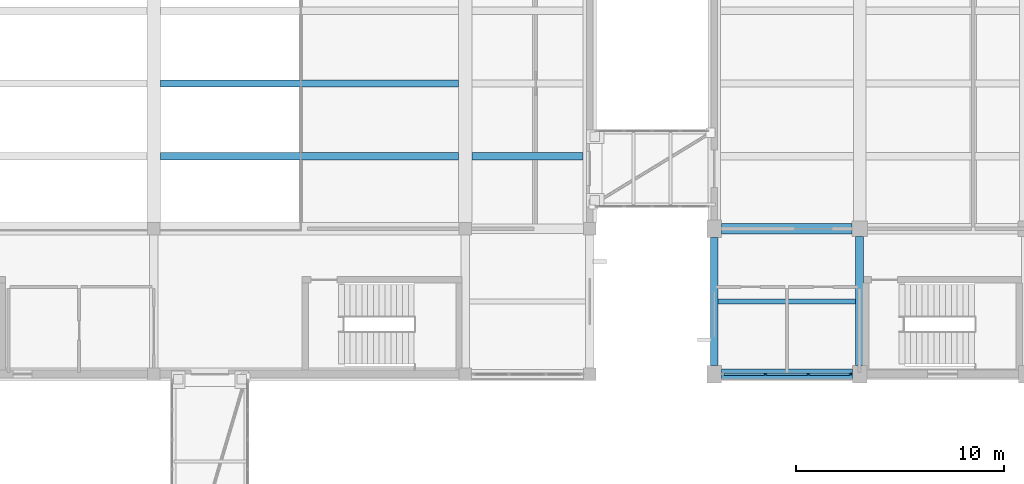
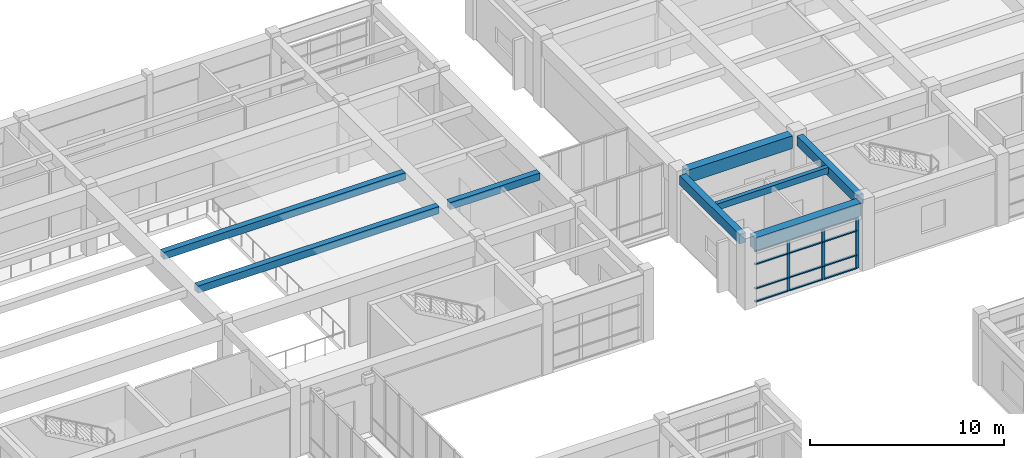
# One storey, part 15 of 72: 15 members, 8 beams, 1 element without a shape of its own.
"""IFC4 building model written with IfcOpenShell, lengths in metres."""

from ifc_helpers import new_model, si_unit, direction, frame, origin, origin_2d, place, context, subcontext, project, spatial, rectangle, extrude, material, layer, layer_set, material_profile, profile_set, type_object, element, aggregate, save


model = new_model("IFC4")

# Units and contexts
model_context = context("Model", 3, precision=1e-05, world=origin(), true_north=direction((0.0, 1.0)))
body_context = subcontext(model_context, "Body", "Model", "MODEL_VIEW")
ifc_project = project(units=[si_unit("LENGTHUNIT", "METRE"), si_unit("AREAUNIT", "SQUARE_METRE"), si_unit("VOLUMEUNIT", "CUBIC_METRE"), si_unit("PLANEANGLEUNIT", "RADIAN"), si_unit("MASSUNIT", "GRAM", prefix="KILO")], contexts=[model_context])

# Site, building, storey
site_placement = place(None, origin())
site = spatial("IfcSite", under=ifc_project, at=site_placement, CompositionType="ELEMENT")
building_placement = place(site_placement, origin())
building = spatial("IfcBuilding", under=site, at=building_placement, Name="Naurynzar Civic Courthouse", CompositionType="ELEMENT")
storey_placement = place(building_placement, frame((0.0, 0.0, 9.89990234375)))
storey = spatial("IfcBuildingStorey", under=building, at=storey_placement, Name="L03", CompositionType="ELEMENT", Elevation=9.89990234375)

# Beams
ifc_material_1 = material(Name="Concrete C40/50", Category="concrete")
ifc_material_profile_1 = material_profile(ifc_material_1, rectangle(XDim=0.25, YDim=0.39990234375, at=origin_2d()), Name="RCB 250x400")
ifc_profile_set_1 = profile_set([ifc_material_profile_1], Name="Concrete C40/50")
beam_type_1 = type_object("IfcBeamType", Name="BM-JST-250x400", PredefinedType="JOIST", material=ifc_profile_set_1)
beam_1_placement = place(storey_placement, frame((62.1875, 47.5, 4.0), z_axis=(1.0, 0.0, 0.0), x_axis=(0.0, 1.0, 0.0)))
element("IfcBeam", 1, at=beam_1_placement, inside=storey, type_object=beam_type_1, Name="V2 secondary rib 620 L03", PredefinedType="JOIST", context=body_context, shape_type="SweptSolid", body=[
    extrude(rectangle(XDim=0.25, YDim=0.39990234375, at=origin_2d()), origin(), (0.0, 0.0, 1.0), 6.625),
])
ifc_material_2 = material(Name="Concrete C40/50", Category="concrete")
ifc_material_profile_2 = material_profile(ifc_material_2, rectangle(XDim=0.35009765625, YDim=0.449951171875, at=origin_2d()), Name="RCB 350x450")
ifc_profile_set_2 = profile_set([ifc_material_profile_2], Name="Concrete C40/50")
beam_type_2 = type_object("IfcBeamType", Name="BM-RC-350x450", PredefinedType="BEAM", material=ifc_profile_set_2)
for number, where, z_axis, x_axis, name in (
    (2, (35.324951171875, 54.5, 4.005126953125), (1.0, 0.0, 0.0), (0.0, 1.0, 0.0), "V1 secondary rib 213 L03"),
    (3, (35.324951171875, 58.0, 4.005126953125), (1.0, 0.0, 0.0), (0.0, 1.0, 0.0), "V1 secondary rib 214 L03"),
):
    element("IfcBeam", number, at=place(storey_placement, frame(where, z_axis=z_axis, x_axis=x_axis)), inside=storey, type_object=beam_type_2, Name=name, PredefinedType="BEAM", context=body_context, shape_type="SweptSolid", body=[
        extrude(rectangle(XDim=0.35009765625, YDim=0.449951171875, at=origin_2d()), origin(), (0.0, 0.0, 1.0), 14.35009765625),
    ])
beam_2_placement = place(storey_placement, frame((50.324951171875, 54.5, 4.005126953125), z_axis=(1.0, 0.0, 0.0), x_axis=(0.0, 1.0, 0.0)))
element("IfcBeam", 4, at=beam_2_placement, inside=storey, type_object=beam_type_2, Name="V1 secondary rib 216 L03", PredefinedType="BEAM", context=body_context, shape_type="SweptSolid", body=[
    extrude(rectangle(XDim=0.35009765625, YDim=0.449951171875, at=origin_2d()), origin(), (0.0, 0.0, 1.0), 5.35009765625),
])
ifc_material_3 = material(Name="Concrete C40/50", Category="concrete")
ifc_material_profile_3 = material_profile(ifc_material_3, rectangle(XDim=0.375, YDim=0.60009765625, at=origin_2d()), Name="RCB 375x600")
ifc_profile_set_3 = profile_set([ifc_material_profile_3], Name="Concrete C40/50")
beam_type_3 = type_object("IfcBeamType", Name="BM-RC-375x600", PredefinedType="BEAM", material=ifc_profile_set_3)
beam_3_placement = place(storey_placement, frame((62.0, 44.425048828125, 3.900146484375), z_axis=(0.0, 1.0, 0.0), x_axis=(-1.0, 0.0, 0.0)))
element("IfcBeam", 5, at=beam_3_placement, inside=storey, type_object=beam_type_3, Name="V2 girder Y-593 L03", PredefinedType="BEAM", context=body_context, shape_type="SweptSolid", body=[
    extrude(rectangle(XDim=0.375, YDim=0.60009765625, at=origin_2d()), origin(), (0.0, 0.0, 1.0), 6.14990234375),
])
beam_4_placement = place(storey_placement, frame((69.0, 44.425048828125, 3.900146484375), z_axis=(0.0, 1.0, 0.0), x_axis=(-1.0, 0.0, 0.0)))
element("IfcBeam", 6, at=beam_4_placement, inside=storey, type_object=beam_type_3, Name="V2 girder Y-596 L03", PredefinedType="BEAM", context=body_context, shape_type="SweptSolid", body=[
    extrude(rectangle(XDim=0.375, YDim=0.60009765625, at=origin_2d()), origin(), (0.0, 0.0, 1.0), 6.199951171875),
])
ifc_material_4 = material(Name="Concrete C40/50", Category="concrete")
ifc_material_profile_4 = material_profile(ifc_material_4, rectangle(XDim=0.5, YDim=0.800048828125, at=origin_2d()), Name="RCB 500x800")
ifc_profile_set_4 = profile_set([ifc_material_profile_4], Name="Concrete C40/50")
beam_type_4 = type_object("IfcBeamType", Name="BM-RC-500x800", PredefinedType="BEAM", material=ifc_profile_set_4)
beam_5_placement = place(storey_placement, frame((62.35009765625, 44.0, 3.800048828125), z_axis=(1.0, 0.0, 0.0), x_axis=(0.0, 1.0, 0.0)))
element("IfcBeam", 7, at=beam_5_placement, inside=storey, type_object=beam_type_4, Name="V2 beam X-561 L03", PredefinedType="BEAM", context=body_context, shape_type="SweptSolid", body=[
    extrude(rectangle(XDim=0.5, YDim=0.800048828125, at=origin_2d()), origin(), (0.0, 0.0, 1.0), 6.2998046875),
])
beam_6_placement = place(storey_placement, frame((62.35009765625, 51.0, 3.800048828125), z_axis=(1.0, 0.0, 0.0), x_axis=(0.0, 1.0, 0.0)))
element("IfcBeam", 8, at=beam_6_placement, inside=storey, type_object=beam_type_4, Name="V2 beam X-569 L03", PredefinedType="BEAM", context=body_context, shape_type="SweptSolid", body=[
    extrude(rectangle(XDim=0.5, YDim=0.800048828125, at=origin_2d()), origin(), (0.0, 0.0, 1.0), 6.27490234375),
])

# Curtain wall, members
ifc_material_5 = material(Name="Aluminium 6063-T6", Category="aluminium")
ifc_layer = layer(ifc_material_5, 0.159912109375)
ifc_layer_set = layer_set([ifc_layer], Name="CW-UNIT-1800")
curtain_wall_type = type_object("IfcCurtainWallType", Name="CW-UNIT-1800", PredefinedType="NOTDEFINED", material=ifc_layer_set)
curtain_wall_placement = place(storey_placement, origin())
curtain_wall = element("IfcCurtainWall", 9, at=curtain_wall_placement, inside=storey, type_object=curtain_wall_type, Name="V2 unitised curtain wall 30 L03", PredefinedType="NOTDEFINED")
ifc_material_6 = material(Name="Aluminium 6063-T6", Category="aluminium")
ifc_material_profile_5 = material_profile(ifc_material_6, rectangle(XDim=0.070068359375, YDim=0.179931640625, at=origin_2d()), Name="ALU MULLION 70x180")
ifc_profile_set_5 = profile_set([ifc_material_profile_5], Name="Aluminium 6063-T6")
member_type_1 = type_object("IfcMemberType", Name="CWM-70x180", PredefinedType="MULLION", material=ifc_profile_set_5)
member_1_placement = place(storey_placement, frame((68.56494140625, 44.0, 0.0), z_axis=(0.0, 0.0, 1.0), x_axis=(0.0, -1.0, 0.0)))
member_1 = element("IfcMember", 10, at=member_1_placement, type_object=member_type_1, Name="CW-02 mullion 1", PredefinedType="MULLION", context=body_context, shape_type="SweptSolid", body=[
    extrude(rectangle(XDim=0.070068359375, YDim=0.179931640625, at=origin_2d()), origin(), (0.0, 0.0, 1.0), 3.22998046875),
])
member_2_placement = place(storey_placement, frame((66.533447265625, 44.0, 0.0), z_axis=(0.0, 0.0, 1.0), x_axis=(0.0, -1.0, 0.0)))
member_2 = element("IfcMember", 11, at=member_2_placement, type_object=member_type_1, Name="CW-02 mullion 2", PredefinedType="MULLION", context=body_context, shape_type="SweptSolid", body=[
    extrude(rectangle(XDim=0.070068359375, YDim=0.179931640625, at=origin_2d()), origin(), (0.0, 0.0, 1.0), 3.22998046875),
])
member_3_placement = place(storey_placement, frame((64.466552734375, 44.0, 0.0), z_axis=(0.0, 0.0, 1.0), x_axis=(0.0, -1.0, 0.0)))
member_3 = element("IfcMember", 12, at=member_3_placement, type_object=member_type_1, Name="CW-02 mullion 3", PredefinedType="MULLION", context=body_context, shape_type="SweptSolid", body=[
    extrude(rectangle(XDim=0.070068359375, YDim=0.179931640625, at=origin_2d()), origin(), (0.0, 0.0, 1.0), 3.22998046875),
])
ifc_material_7 = material(Name="Aluminium 6063-T6", Category="aluminium")
ifc_material_profile_6 = material_profile(ifc_material_7, rectangle(XDim=0.1298828125, YDim=0.070068359375, at=origin_2d()), Name="ALU TRANSOM 70x130")
ifc_profile_set_6 = profile_set([ifc_material_profile_6], Name="Aluminium 6063-T6")
member_type_2 = type_object("IfcMemberType", Name="CWT-70x130", PredefinedType="USERDEFINED", material=ifc_profile_set_6)
member_4_placement = place(storey_placement, frame((68.530029296875, 44.0, 0.03515625), z_axis=(-1.0, 0.0, 0.0), x_axis=(0.0, -1.0, 0.0)))
member_4 = element("IfcMember", 13, at=member_4_placement, type_object=member_type_2, Name="CW-02 transom 1.1", ObjectType="TRANSOM", PredefinedType="USERDEFINED", context=body_context, shape_type="SweptSolid", body=[
    extrude(rectangle(XDim=0.1298828125, YDim=0.070068359375, at=origin_2d()), origin(), (0.0, 0.0, 1.0), 1.961669921875),
])
member_5_placement = place(storey_placement, frame((68.530029296875, 44.0, 0.85009765625), z_axis=(-1.0, 0.0, 0.0), x_axis=(0.0, -1.0, 0.0)))
member_5 = element("IfcMember", 14, at=member_5_placement, type_object=member_type_2, Name="CW-02 transom 1.2", ObjectType="TRANSOM", PredefinedType="USERDEFINED", context=body_context, shape_type="SweptSolid", body=[
    extrude(rectangle(XDim=0.1298828125, YDim=0.070068359375, at=origin_2d()), origin(), (0.0, 0.0, 1.0), 1.961669921875),
])
member_6_placement = place(storey_placement, frame((68.530029296875, 44.0, 2.380126953125), z_axis=(-1.0, 0.0, 0.0), x_axis=(0.0, -1.0, 0.0)))
member_6 = element("IfcMember", 15, at=member_6_placement, type_object=member_type_2, Name="CW-02 transom 1.3", ObjectType="TRANSOM", PredefinedType="USERDEFINED", context=body_context, shape_type="SweptSolid", body=[
    extrude(rectangle(XDim=0.1298828125, YDim=0.070068359375, at=origin_2d()), origin(), (0.0, 0.0, 1.0), 1.961669921875),
])
member_7_placement = place(storey_placement, frame((68.530029296875, 44.0, 3.195068359375), z_axis=(-1.0, 0.0, 0.0), x_axis=(0.0, -1.0, 0.0)))
member_7 = element("IfcMember", 16, at=member_7_placement, type_object=member_type_2, Name="CW-02 transom 1.4", ObjectType="TRANSOM", PredefinedType="USERDEFINED", context=body_context, shape_type="SweptSolid", body=[
    extrude(rectangle(XDim=0.1298828125, YDim=0.070068359375, at=origin_2d()), origin(), (0.0, 0.0, 1.0), 1.961669921875),
])
member_8_placement = place(storey_placement, frame((66.498291015625, 44.0, 0.03515625), z_axis=(-1.0, 0.0, 0.0), x_axis=(0.0, -1.0, 0.0)))
member_8 = element("IfcMember", 17, at=member_8_placement, type_object=member_type_2, Name="CW-02 transom 2.1", ObjectType="TRANSOM", PredefinedType="USERDEFINED", context=body_context, shape_type="SweptSolid", body=[
    extrude(rectangle(XDim=0.1298828125, YDim=0.070068359375, at=origin_2d()), origin(), (0.0, 0.0, 1.0), 1.99658203125),
])
member_9_placement = place(storey_placement, frame((66.498291015625, 44.0, 0.85009765625), z_axis=(-1.0, 0.0, 0.0), x_axis=(0.0, -1.0, 0.0)))
member_9 = element("IfcMember", 18, at=member_9_placement, type_object=member_type_2, Name="CW-02 transom 2.2", ObjectType="TRANSOM", PredefinedType="USERDEFINED", context=body_context, shape_type="SweptSolid", body=[
    extrude(rectangle(XDim=0.1298828125, YDim=0.070068359375, at=origin_2d()), origin(), (0.0, 0.0, 1.0), 1.99658203125),
])
member_10_placement = place(storey_placement, frame((66.498291015625, 44.0, 2.380126953125), z_axis=(-1.0, 0.0, 0.0), x_axis=(0.0, -1.0, 0.0)))
member_10 = element("IfcMember", 19, at=member_10_placement, type_object=member_type_2, Name="CW-02 transom 2.3", ObjectType="TRANSOM", PredefinedType="USERDEFINED", context=body_context, shape_type="SweptSolid", body=[
    extrude(rectangle(XDim=0.1298828125, YDim=0.070068359375, at=origin_2d()), origin(), (0.0, 0.0, 1.0), 1.99658203125),
])
member_11_placement = place(storey_placement, frame((66.498291015625, 44.0, 3.195068359375), z_axis=(-1.0, 0.0, 0.0), x_axis=(0.0, -1.0, 0.0)))
member_11 = element("IfcMember", 20, at=member_11_placement, type_object=member_type_2, Name="CW-02 transom 2.4", ObjectType="TRANSOM", PredefinedType="USERDEFINED", context=body_context, shape_type="SweptSolid", body=[
    extrude(rectangle(XDim=0.1298828125, YDim=0.070068359375, at=origin_2d()), origin(), (0.0, 0.0, 1.0), 1.99658203125),
])
member_12_placement = place(storey_placement, frame((64.431640625, 44.0, 0.03515625), z_axis=(-1.0, 0.0, 0.0), x_axis=(0.0, -1.0, 0.0)))
member_12 = element("IfcMember", 21, at=member_12_placement, type_object=member_type_2, Name="CW-02 transom 3.1", ObjectType="TRANSOM", PredefinedType="USERDEFINED", context=body_context, shape_type="SweptSolid", body=[
    extrude(rectangle(XDim=0.1298828125, YDim=0.070068359375, at=origin_2d()), origin(), (0.0, 0.0, 1.0), 1.961669921875),
])
member_13_placement = place(storey_placement, frame((64.431640625, 44.0, 0.85009765625), z_axis=(-1.0, 0.0, 0.0), x_axis=(0.0, -1.0, 0.0)))
member_13 = element("IfcMember", 22, at=member_13_placement, type_object=member_type_2, Name="CW-02 transom 3.2", ObjectType="TRANSOM", PredefinedType="USERDEFINED", context=body_context, shape_type="SweptSolid", body=[
    extrude(rectangle(XDim=0.1298828125, YDim=0.070068359375, at=origin_2d()), origin(), (0.0, 0.0, 1.0), 1.961669921875),
])
member_14_placement = place(storey_placement, frame((64.431640625, 44.0, 2.380126953125), z_axis=(-1.0, 0.0, 0.0), x_axis=(0.0, -1.0, 0.0)))
member_14 = element("IfcMember", 23, at=member_14_placement, type_object=member_type_2, Name="CW-02 transom 3.3", ObjectType="TRANSOM", PredefinedType="USERDEFINED", context=body_context, shape_type="SweptSolid", body=[
    extrude(rectangle(XDim=0.1298828125, YDim=0.070068359375, at=origin_2d()), origin(), (0.0, 0.0, 1.0), 1.961669921875),
])
member_15_placement = place(storey_placement, frame((64.431640625, 44.0, 3.195068359375), z_axis=(-1.0, 0.0, 0.0), x_axis=(0.0, -1.0, 0.0)))
member_15 = element("IfcMember", 24, at=member_15_placement, type_object=member_type_2, Name="CW-02 transom 3.4", ObjectType="TRANSOM", PredefinedType="USERDEFINED", context=body_context, shape_type="SweptSolid", body=[
    extrude(rectangle(XDim=0.1298828125, YDim=0.070068359375, at=origin_2d()), origin(), (0.0, 0.0, 1.0), 1.961669921875),
])
aggregate(curtain_wall, [member_1, member_2, member_3, member_4, member_5, member_6, member_7, member_8, member_9, member_10, member_11, member_12, member_13, member_14, member_15])

save(model, "model.ifc")
